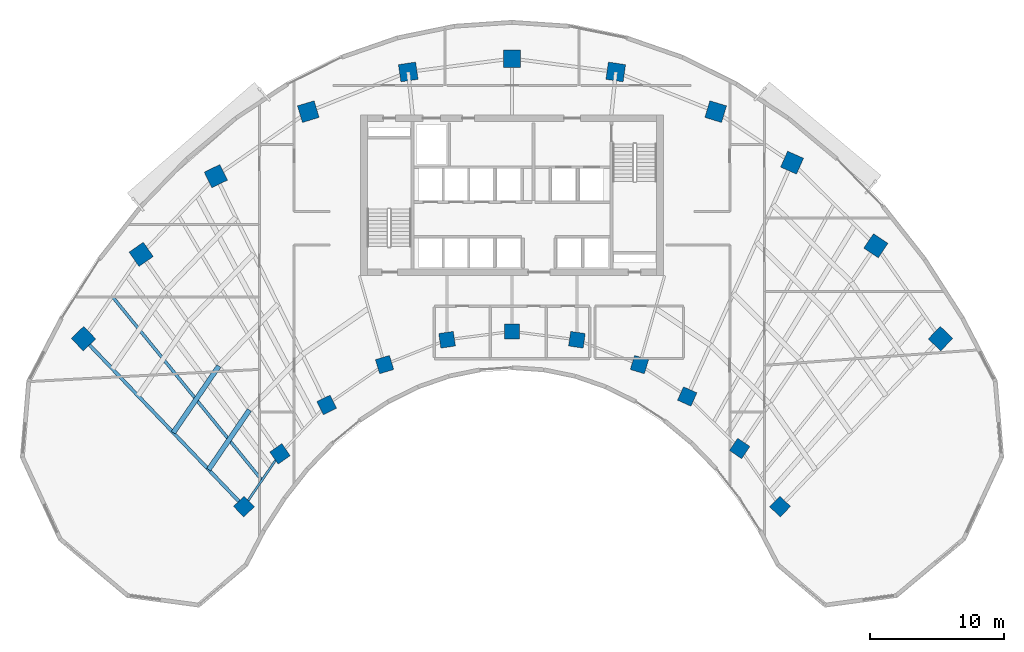
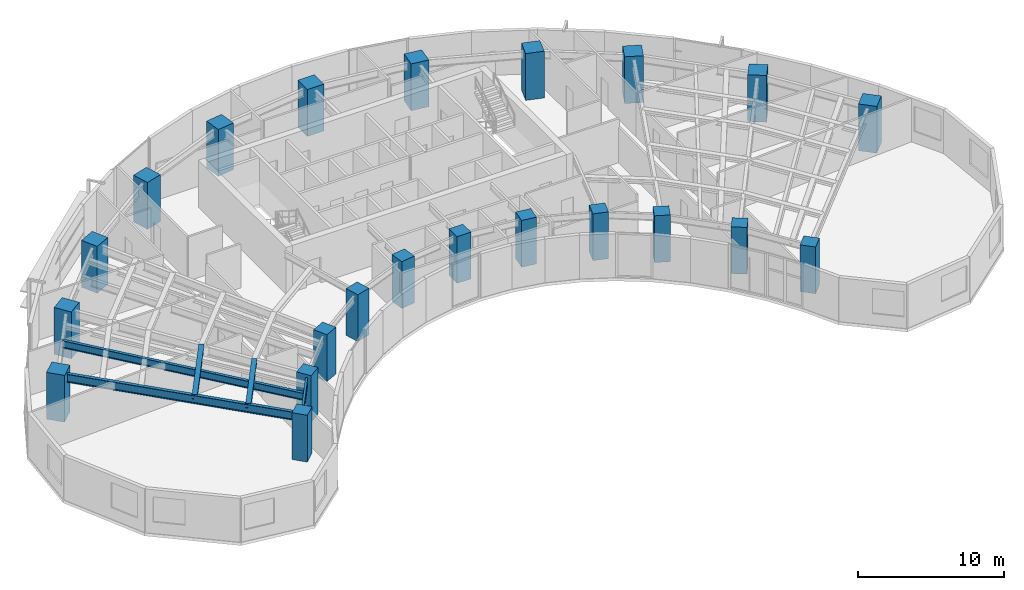
# One storey, part 1 of 13: 22 columns, 5 beams.
"""IFC4 building model written with IfcOpenShell, lengths in metres."""

from ifc_helpers import new_model, si_unit, direction, frame, origin, origin_2d, place, context, subcontext, project, spatial, rectangle, i_section, extrude, source, transform, mapped, material, material_profile, profile_set, type_object, type_shapes, element, save


model = new_model("IFC4")

# Units and contexts
model_context = context("Model", 3, precision=1e-05, world=origin(), true_north=direction((0.0, 1.0)))
body_context = subcontext(model_context, "Body", "Model", "MODEL_VIEW")
ifc_project = project(units=[si_unit("LENGTHUNIT", "METRE"), si_unit("AREAUNIT", "SQUARE_METRE"), si_unit("VOLUMEUNIT", "CUBIC_METRE"), si_unit("PLANEANGLEUNIT", "RADIAN"), si_unit("MASSUNIT", "GRAM", prefix="KILO")], contexts=[model_context])

# Site, building, storey
site_placement = place(None, origin())
site = spatial("IfcSite", under=ifc_project, at=site_placement, CompositionType="ELEMENT")
building_placement = place(site_placement, origin())
building = spatial("IfcBuilding", under=site, at=building_placement, Name="Breltana Convention Tower", CompositionType="ELEMENT")
storey_placement = place(building_placement, frame((0.0, 0.0, 96.0)))
storey = spatial("IfcBuildingStorey", under=building, at=storey_placement, Name="L22", CompositionType="ELEMENT", Elevation=96.0)

# Columns
ifc_material_1 = material(Name="Concrete C60/75", Category="concrete")
ifc_material_profile_1 = material_profile(ifc_material_1, rectangle(XDim=1.10009765625, YDim=1.10009765625, at=origin_2d()), Name="RC-COL-1100X1100")
ifc_profile_set_1 = profile_set([ifc_material_profile_1], Name="Concrete C60/75")
column_type_1 = type_object("IfcColumnType", Name="COL-RC-1100", PredefinedType="COLUMN", material=ifc_profile_set_1)
shared_shape_1 = source(origin(), body_context, "Body", "SweptSolid", [
    extrude(rectangle(XDim=1.10009765625, YDim=1.10009765625, at=origin_2d()), origin(), (0.0, 0.0, 1.0), 3.89990234375),
])
for number, where, z_axis, x_axis, name in (
    (1, (27.984619140625, 42.95458984375, 0.0), (0.0, 0.0, 1.0), (-0.690756218984, 0.723087716626, 0.0), "L22 Tower Column R01-IN"),
    (2, (30.67724609375, 46.892333984375, 0.0), (0.0, 0.0, 1.0), (-0.571143442153, 0.820850271661, 0.0), "L22 Tower Column R02-IN"),
    (3, (34.166259765625, 50.544921875, 0.0), (0.0, 0.0, 1.0), (-0.436173672171, 0.899862504889, 0.0), "L22 Tower Column R03-IN"),
    (4, (38.485107421875, 53.5576171875, 0.0), (0.0, 0.0, 1.0), (-0.288697611798, 0.957420330337, 0.0), "L22 Tower Column R04-IN"),
    (5, (43.153564453125, 55.41064453125, 0.0), (0.0, 0.0, 1.0), (-0.143492621991, 0.98965138682, 0.0), "L22 Tower Column R05-IN"),
    (6, (48.0, 56.035888671875, 0.0), (0.0, 0.0, 1.0), (0.0, 1.0, 0.0), "L22 Tower Column R06-IN"),
    (7, (52.846435546875, 55.41064453125, 0.0), (0.0, 0.0, 1.0), (0.143492621991, 0.98965138682, 0.0), "L22 Tower Column R07-IN"),
    (8, (57.514892578125, 53.5576171875, 0.0), (0.0, 0.0, 1.0), (0.288697611798, 0.957420330337, 0.0), "L22 Tower Column R08-IN"),
    (9, (61.08203125, 51.174560546875, 0.0), (0.0, 0.0, 1.0), (0.409126902895, 0.912477494148, 0.0), "L22 Tower Column R09-IN"),
    (10, (64.995849609375, 47.293701171875, 0.0), (0.0, 0.0, 1.0), (0.55774510898, 0.830012285095, 0.0), "L22 Tower Column R10-IN"),
    (11, (68.015380859375, 42.95458984375, 0.0), (0.0, 0.0, 1.0), (0.690756218984, 0.723087716626, 0.0), "L22 Tower Column R11-IN"),
):
    element("IfcColumn", number, at=place(storey_placement, frame(where, z_axis=z_axis, x_axis=x_axis)), inside=storey, type_object=column_type_1, Name=name, PredefinedType="COLUMN", context=body_context, shape_type="MappedRepresentation", body=[
        mapped(shared_shape_1, transform((0.0, 0.0, 0.0), scale=1.0)),
    ])
ifc_material_profile_2 = material_profile(ifc_material_1, rectangle(XDim=1.300048828125, YDim=1.300048828125, at=origin_2d()), Name="RC-COL-1300X1300")
ifc_profile_set_2 = profile_set([ifc_material_profile_2], Name="Concrete C60/75")
column_type_2 = type_object("IfcColumnType", Name="COL-RC-1300", PredefinedType="COLUMN", material=ifc_profile_set_2)
shared_shape_2 = source(origin(), body_context, "Body", "SweptSolid", [
    extrude(rectangle(XDim=1.300048828125, YDim=1.300048828125, at=origin_2d()), origin(), (0.0, 0.0, 1.0), 3.89990234375),
])
for number, where, z_axis, x_axis, name in (
    (12, (16.0068359375, 55.494384765625, 0.0), (0.0, 0.0, 1.0), (-0.690756218984, 0.723087716626, 0.0), "L22 Tower Column R01-OUT"),
    (13, (20.310791015625, 61.78857421875, 0.0), (0.0, 0.0, 1.0), (-0.571143442153, 0.820850271661, 0.0), "L22 Tower Column R02-OUT"),
    (14, (25.8876953125, 67.626953125, 0.0), (0.0, 0.0, 1.0), (-0.436173672171, 0.899862504889, 0.0), "L22 Tower Column R03-OUT"),
    (15, (32.791015625, 72.4423828125, 0.0), (0.0, 0.0, 1.0), (-0.288697611798, 0.957420330337, 0.0), "L22 Tower Column R04-OUT"),
    (16, (40.253173828125, 75.404296875, 0.0), (0.0, 0.0, 1.0), (-0.143492621991, 0.98965138682, 0.0), "L22 Tower Column R05-OUT"),
    (17, (48.0, 76.404052734375, 0.0), (0.0, 0.0, 1.0), (0.0, 1.0, 0.0), "L22 Tower Column R06-OUT"),
    (18, (55.746826171875, 75.404296875, 0.0), (0.0, 0.0, 1.0), (0.143492621991, 0.98965138682, 0.0), "L22 Tower Column R07-OUT"),
    (19, (63.208984375, 72.4423828125, 0.0), (0.0, 0.0, 1.0), (0.288697611798, 0.957420330337, 0.0), "L22 Tower Column R08-OUT"),
    (20, (68.910400390625, 68.63330078125, 0.0), (0.0, 0.0, 1.0), (0.409126902895, 0.912477494148, 0.0), "L22 Tower Column R09-OUT"),
    (21, (75.166748046875, 62.43017578125, 0.0), (0.0, 0.0, 1.0), (0.55774510898, 0.830012285095, 0.0), "L22 Tower Column R10-OUT"),
    (22, (79.9931640625, 55.494384765625, 0.0), (0.0, 0.0, 1.0), (0.690756218984, 0.723087716626, 0.0), "L22 Tower Column R11-OUT"),
):
    element("IfcColumn", number, at=place(storey_placement, frame(where, z_axis=z_axis, x_axis=x_axis)), inside=storey, type_object=column_type_2, Name=name, PredefinedType="COLUMN", context=body_context, shape_type="MappedRepresentation", body=[
        mapped(shared_shape_2, transform((0.0, 0.0, 0.0), scale=1.0)),
    ])

# Beams
ifc_material_2 = material(Name="Steel ASTM A992 Grade 50", Category="steel")
ifc_material_profile_3 = material_profile(ifc_material_2, i_section(OverallWidth=0.25390625, OverallDepth=0.68798828125, WebThickness=0.01318359375, FlangeThickness=0.02099609375, at=origin_2d()), Name="W27X102")
ifc_profile_set_3 = profile_set([ifc_material_profile_3], Name="Steel ASTM A992 Grade 50")
beam_type_1 = type_object("IfcBeamType", Name="BM-RG-W27X102", PredefinedType="USERDEFINED", material=ifc_profile_set_3)
shared_shape_3 = source(origin(), body_context, "Body", "SweptSolid", [
    extrude(i_section(OverallWidth=0.25390625, OverallDepth=0.68798828125, WebThickness=0.01318359375, FlangeThickness=0.02099609375, at=origin_2d()), origin(), (0.0, 0.0, 1.0), 17.341064453125),
])
type_shapes(beam_type_1, [shared_shape_3])
beam_1_placement = place(storey_placement, frame((27.984619140625, 42.95458984375, 3.305908203125), z_axis=(-0.690716462293, 0.723125693581, 0.0), x_axis=(-0.723125693581, -0.690716462293, 0.0)))
element("IfcBeam", 23, at=beam_1_placement, inside=storey, type_object=beam_type_1, Name="L22 Radial Floor Girder R01", ObjectType="GIRDER", PredefinedType="USERDEFINED", context=body_context, shape_type="MappedRepresentation", body=[
    mapped(shared_shape_3, transform((0.0, 0.0, 0.0), scale=1.0)),
])
ifc_material_profile_4 = material_profile(ifc_material_2, i_section(OverallWidth=0.166015625, OverallDepth=0.534912109375, WebThickness=0.01025390625, FlangeThickness=0.0166015625, at=origin_2d()), Name="W21X57")
ifc_profile_set_4 = profile_set([ifc_material_profile_4], Name="Steel ASTM A992 Grade 50")
beam_type_2 = type_object("IfcBeamType", Name="BM-BM-W21X57", PredefinedType="BEAM", material=ifc_profile_set_4)
shared_shape_4 = source(origin(), body_context, "Body", "SweptSolid", [
    extrude(i_section(OverallWidth=0.166015625, OverallDepth=0.534912109375, WebThickness=0.01025390625, FlangeThickness=0.0166015625, at=origin_2d()), origin(), (0.0, 0.0, 1.0), 4.770263671875),
])
beam_2_placement = place(storey_placement, frame((27.984619140625, 42.95458984375, 3.382568359375), z_axis=(0.564452719055, 0.82546540082, 0.0), x_axis=(-0.82546540082, 0.564452719055, 0.0)))
element("IfcBeam", 24, at=beam_2_placement, inside=storey, type_object=beam_type_2, Name="L22 Inner Ring Beam 01", PredefinedType="BEAM", context=body_context, shape_type="MappedRepresentation", body=[
    mapped(shared_shape_4, transform((0.0, 0.0, 0.0), scale=1.0)),
])
ifc_material_profile_5 = material_profile(ifc_material_2, i_section(OverallWidth=0.368896484375, OverallDepth=0.35595703125, WebThickness=0.01123046875, FlangeThickness=0.01806640625, at=origin_2d()), Name="W14X90")
ifc_profile_set_5 = profile_set([ifc_material_profile_5], Name="Steel ASTM A992 Grade 50")
beam_type_3 = type_object("IfcBeamType", Name="BM-JSG-09", PredefinedType="JOIST", material=ifc_profile_set_5)
shared_shape_5 = source(origin(), body_context, "Body", "SweptSolid", [
    extrude(i_section(OverallWidth=0.368896484375, OverallDepth=0.35595703125, WebThickness=0.01123046875, FlangeThickness=0.01806640625, at=origin_2d()), origin(), (0.0, 0.0, 1.0), 5.3984375),
])
beam_3_placement = place(storey_placement, frame((25.349365234375, 45.71337890625, 3.471923828125), z_axis=(0.564440705434, 0.825473615599, 0.0), x_axis=(-0.825473615599, 0.564440705434, 0.0)))
element("IfcBeam", 25, at=beam_3_placement, inside=storey, type_object=beam_type_3, Name="L22 Composite Floor Joist 01.1", PredefinedType="JOIST", context=body_context, shape_type="MappedRepresentation", body=[
    mapped(shared_shape_5, transform((0.0, 0.0, 0.0), scale=1.0)),
])
shared_shape_6 = source(origin(), body_context, "Body", "SweptSolid", [
    extrude(i_section(OverallWidth=0.368896484375, OverallDepth=0.35595703125, WebThickness=0.01123046875, FlangeThickness=0.01806640625, at=origin_2d()), origin(), (0.0, 0.0, 1.0), 6.0263671875),
])
beam_4_placement = place(storey_placement, frame((22.71435546875, 48.47216796875, 3.471923828125), z_axis=(0.564450071397, 0.825467211281, 0.0), x_axis=(-0.825467211281, 0.564450071397, 0.0)))
element("IfcBeam", 26, at=beam_4_placement, inside=storey, type_object=beam_type_3, Name="L22 Composite Floor Joist 01.2", PredefinedType="JOIST", context=body_context, shape_type="MappedRepresentation", body=[
    mapped(shared_shape_6, transform((0.0, 0.0, 0.0), scale=1.0)),
])
ifc_material_profile_6 = material_profile(ifc_material_2, i_section(OverallWidth=0.22802734375, OverallDepth=0.60791015625, WebThickness=0.01123046875, FlangeThickness=0.017333984375, at=origin_2d()), Name="W24X76")
ifc_profile_set_6 = profile_set([ifc_material_profile_6], Name="Steel ASTM A992 Grade 50")
beam_type_4 = type_object("IfcBeamType", Name="BM-JSG-02", PredefinedType="JOIST", material=ifc_profile_set_6)
shared_shape_7 = source(origin(), body_context, "Body", "SweptSolid", [
    extrude(i_section(OverallWidth=0.22802734375, OverallDepth=0.60791015625, WebThickness=0.01123046875, FlangeThickness=0.017333984375, at=origin_2d()), origin(), (0.0, 0.0, 1.0), 17.691650390625),
])
type_shapes(beam_type_4, [shared_shape_7])
beam_5_placement = place(storey_placement, frame((29.330810546875, 44.923583984375, 3.345947265625), z_axis=(-0.631476958478, 0.775394642044, 0.0), x_axis=(-0.775394642044, -0.631476958478, 0.0)))
element("IfcBeam", 27, at=beam_5_placement, inside=storey, type_object=beam_type_4, Name="L22 Mid-Bay Radial Trimmer 01", PredefinedType="JOIST", context=body_context, shape_type="MappedRepresentation", body=[
    mapped(shared_shape_7, transform((0.0, 0.0, 0.0), scale=1.0)),
])

save(model, "model.ifc")
